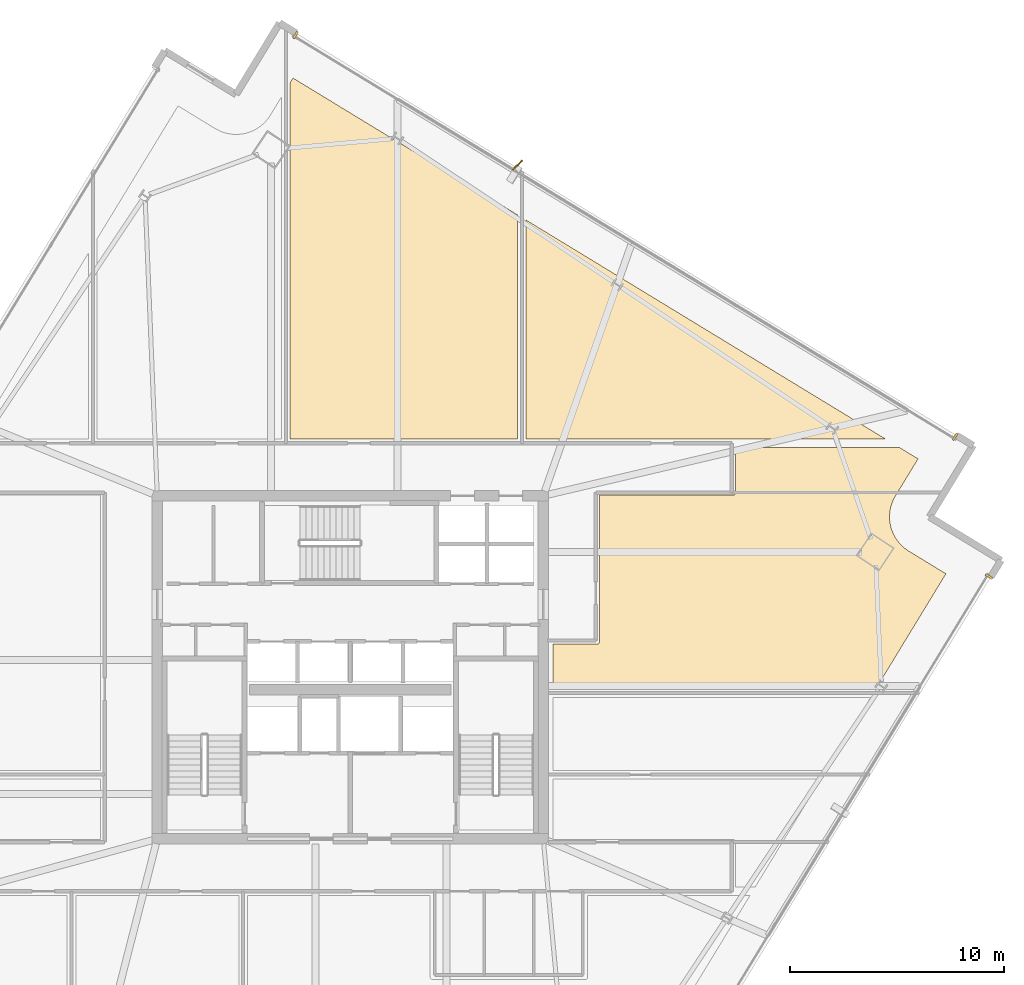
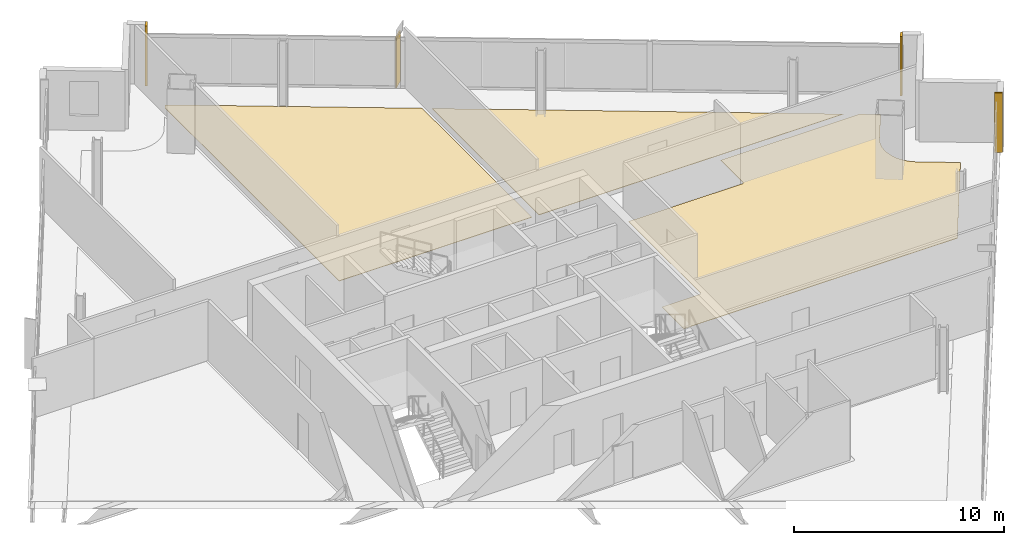
# One storey, part 28 of 28: 6 coverings, 1 shading device.
"""IFC4 building model written with IfcOpenShell, lengths in metres."""

from ifc_helpers import new_model, si_unit, direction, frame, origin, origin_2d, place, context, subcontext, project, spatial, polyline, rectangle, outline, extrude, source, transform, mapped, material, layer, layer_set, type_object, element, save


model = new_model("IFC4")

# Units and contexts
model_context = context("Model", 3, precision=1e-05, world=origin(), true_north=direction((0.0, 1.0)))
body_context = subcontext(model_context, "Body", "Model", "MODEL_VIEW")
ifc_project = project(units=[si_unit("LENGTHUNIT", "METRE"), si_unit("AREAUNIT", "SQUARE_METRE"), si_unit("VOLUMEUNIT", "CUBIC_METRE"), si_unit("PLANEANGLEUNIT", "RADIAN"), si_unit("MASSUNIT", "GRAM", prefix="KILO")], contexts=[model_context])

# Site, building, storey
site_placement = place(None, origin())
site = spatial("IfcSite", under=ifc_project, at=site_placement, CompositionType="ELEMENT")
building_placement = place(site_placement, origin())
building = spatial("IfcBuilding", under=site, at=building_placement, Name="Haldenkirk Collegiate Tower", CompositionType="ELEMENT")
storey_placement = place(building_placement, frame((0.0, 0.0, 224.699951171875)))
storey = spatial("IfcBuildingStorey", under=building, at=storey_placement, Name="L56", CompositionType="ELEMENT", Elevation=224.699951171875)

# Coverings
ifc_material_1 = material(Name="Polished collegiate terrazzo", Category="concrete")
ifc_layer_1 = layer(ifc_material_1, 0.02490234375)
ifc_layer_set_1 = layer_set([ifc_layer_1], Name="Polished collegiate terrazzo")
covering_type_1 = type_object("IfcCoveringType", Name="COV-FLOOR-TERRAZZO", PredefinedType="FLOORING", material=ifc_layer_set_1)
covering_1_placement = place(storey_placement, origin())
element("IfcCovering", 1, at=covering_1_placement, inside=storey, type_object=covering_type_1, Name="L56 academic room finish 06", PredefinedType="FLOORING", context=body_context, shape_type="SweptSolid", body=[
    extrude(outline(polyline([(33.327880859375, 53.482421875), (43.800048828125, 47.102783203125), (43.800048828125, 36.64990234375), (33.199951171875, 36.64990234375), (33.199951171875, 53.272216796875), (33.327880859375, 53.482421875)])), origin(), (0.0, 0.0, 1.0), 0.025146484375),
])
covering_2_placement = place(storey_placement, origin())
element("IfcCovering", 2, at=covering_2_placement, inside=storey, type_object=covering_type_1, Name="L56 academic room finish 12", PredefinedType="FLOORING", context=body_context, shape_type="SweptSolid", body=[
    extrude(outline(polyline([(47.5, 27.080078125), (47.51171875, 27.08056640625), (47.5234375, 27.082275390625), (47.534912109375, 27.085205078125), (47.5458984375, 27.089111328125), (47.556640625, 27.09423828125), (47.566650390625, 27.10009765625), (47.576171875, 27.107177734375), (47.5849609375, 27.114990234375), (47.5927734375, 27.123779296875), (47.599853515625, 27.13330078125), (47.605712890625, 27.143310546875), (47.61083984375, 27.154052734375), (47.61474609375, 27.165283203125), (47.61767578125, 27.176513671875), (47.619384765625, 27.188232421875), (47.6201171875, 27.199951171875), (47.6201171875, 34.030029296875), (53.85009765625, 34.030029296875), (53.86181640625, 34.030517578125), (53.873291015625, 34.0322265625), (53.884765625, 34.03515625), (53.89599609375, 34.0390625), (53.906494140625, 34.044189453125), (53.916748046875, 34.05029296875), (53.926025390625, 34.05712890625), (53.934814453125, 34.065185546875), (53.94287109375, 34.073974609375), (53.94970703125, 34.083251953125), (53.955810546875, 34.093505859375), (53.9609375, 34.10400390625), (53.96484375, 34.115234375), (53.9677734375, 34.126708984375), (53.969482421875, 34.13818359375), (53.969970703125, 34.14990234375), (53.969970703125, 36.25), (61.61474609375, 36.25), (62.4794921875, 35.72314453125), (61.42333984375, 33.989501953125), (61.42041015625, 33.984619140625), (61.33837890625, 33.83349609375), (61.333251953125, 33.822998046875), (61.2666015625, 33.664794921875), (61.262451171875, 33.65380859375), (61.21142578125, 33.48974609375), (61.20849609375, 33.478515625), (61.173583984375, 33.310302734375), (61.171875, 33.298583984375), (61.15380859375, 33.127685546875), (61.1533203125, 33.1162109375), (61.15185546875, 32.9443359375), (61.15234375, 32.9326171875), (61.16796875, 32.761474609375), (61.169677734375, 32.749755859375), (61.201904296875, 32.5810546875), (61.20458984375, 32.569580078125), (61.25341796875, 32.405029296875), (61.25732421875, 32.393798828125), (61.322021484375, 32.23486328125), (61.326904296875, 32.22412109375), (61.40673828125, 32.072021484375), (61.41259765625, 32.06201171875), (61.507080078125, 31.91845703125), (61.513916015625, 31.908935546875), (61.6220703125, 31.775390625), (61.6298828125, 31.7666015625), (61.750244140625, 31.644287109375), (61.759033203125, 31.63623046875), (61.89111328125, 31.5263671875), (61.900390625, 31.519287109375), (62.04248046875, 31.4228515625), (62.047607421875, 31.419677734375), (63.781005859375, 30.363525390625), (60.513671875, 25.0), (45.449951171875, 25.0), (45.449951171875, 27.080078125), (47.5, 27.080078125)])), origin(), (0.0, 0.0, 1.0), 0.025146484375),
])
ifc_material_2 = material(Name="Engineered collegiate oak acoustic flooring", Category="wood")
ifc_layer_2 = layer(ifc_material_2, 0.02197265625)
ifc_layer_set_2 = layer_set([ifc_layer_2], Name="Engineered collegiate oak acoustic flooring")
covering_type_2 = type_object("IfcCoveringType", Name="COV-FLOOR-TIMBER", PredefinedType="FLOORING", material=ifc_layer_set_2)
covering_3_placement = place(storey_placement, origin())
element("IfcCovering", 3, at=covering_3_placement, inside=storey, type_object=covering_type_2, Name="L56 academic room finish 07", PredefinedType="FLOORING", context=body_context, shape_type="SweptSolid", body=[
    extrude(outline(polyline([(60.958251953125, 36.64990234375), (44.199951171875, 36.64990234375), (44.199951171875, 46.859130859375), (60.958251953125, 36.64990234375)])), origin(), (0.0, 0.0, 1.0), 0.02197265625),
])
ifc_material_3 = material(Name="Anodised architectural bronze aluminium", Category="aluminium")
ifc_layer_3 = layer(ifc_material_3, 0.06005859375)
ifc_layer_set_3 = layer_set([ifc_layer_3], Name="Anodised architectural bronze aluminium")
covering_type_3 = type_object("IfcCoveringType", Name="COV-CLAD-BRONZE-60", PredefinedType="CLADDING", material=ifc_layer_set_3)
shared_shape_1 = source(origin(), body_context, "Body", "SweptSolid", [
    extrude(rectangle(XDim=0.10009765625, YDim=0.3798828125, at=origin_2d()), origin(), (0.0, 0.0, 1.0), 3.469970703125),
])
for number, where, z_axis, x_axis, name in (
    (4, (65.790283203125, 30.240234375, 0.0), (0.0, 0.0, 1.0), (-0.520264569962, -0.854005138885, 0.0), "L56 recessed curtain-wall bronze jamb closure SJL"),
    (5, (33.451416015625, 55.49169921875, 0.0), (0.0, 0.0, 1.0), (0.854005138885, -0.520264569962, 0.0), "L56 recessed curtain-wall bronze jamb closure EJL"),
    (6, (64.20849609375, 36.754150390625, 0.0), (0.0, 0.0, 1.0), (0.854005138885, -0.520264569962, 0.0), "L56 recessed curtain-wall bronze jamb closure EJR"),
):
    element("IfcCovering", number, at=place(storey_placement, frame(where, z_axis=z_axis, x_axis=x_axis)), inside=storey, type_object=covering_type_3, Name=name, PredefinedType="CLADDING", context=body_context, shape_type="MappedRepresentation", body=[
        mapped(shared_shape_1, transform((0.0, 0.0, 0.0), x_axis=(1.0, 0.0, 0.0), y_axis=(0.0, 1.0, 0.0), z_axis=(0.0, 0.0, 1.0), scale=1.0)),
    ])

# Shading device
ifc_layer_4 = layer(ifc_material_3, 0.06494140625)
ifc_layer_set_4 = layer_set([ifc_layer_4], Name="Anodised architectural bronze aluminium")
shading_device_type = type_object("IfcShadingDeviceType", Name="SHD-FIN-BRONZE-620", PredefinedType="USERDEFINED", material=ifc_layer_set_4)
shared_shape_2 = source(origin(), body_context, "Body", "SweptSolid", [
    extrude(rectangle(XDim=0.6201171875, YDim=0.06494140625, at=origin_2d()), origin(), (0.0, 0.0, 1.0), 2.927978515625),
])
shading_device_placement = place(storey_placement, frame((43.8017578125, 49.426025390625, 0.0), z_axis=(0.0, 0.0, 1.0), x_axis=(0.735506121195, 0.677518077755, 0.0)))
element("IfcShadingDevice", 7, at=shading_device_placement, inside=storey, type_object=shading_device_type, Name="L56 folded bronze solar fin 1", ObjectType="FIN", PredefinedType="USERDEFINED", context=body_context, shape_type="MappedRepresentation", body=[
    mapped(shared_shape_2, transform((0.0, 0.0, 0.0), x_axis=(1.0, 0.0, 0.0), y_axis=(0.0, 1.0, 0.0), z_axis=(0.0, 0.0, 1.0), scale=1.0)),
])

save(model, "model.ifc")
